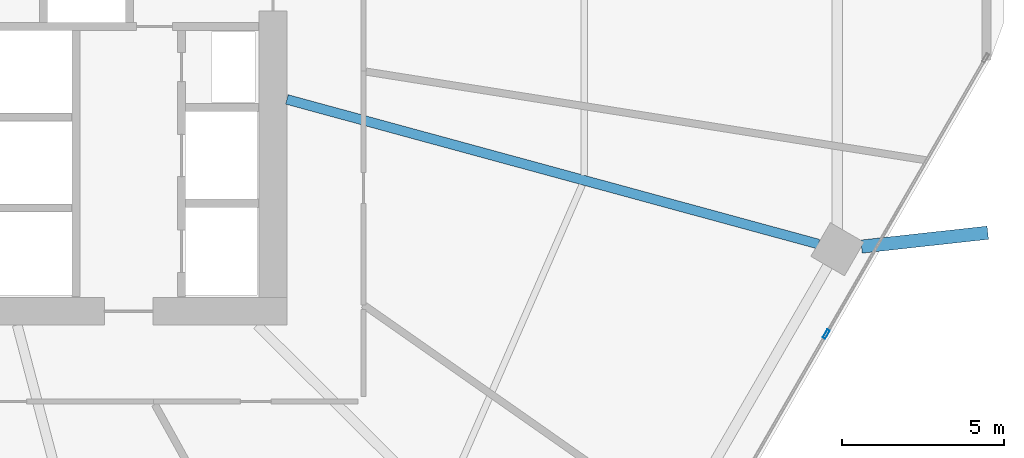
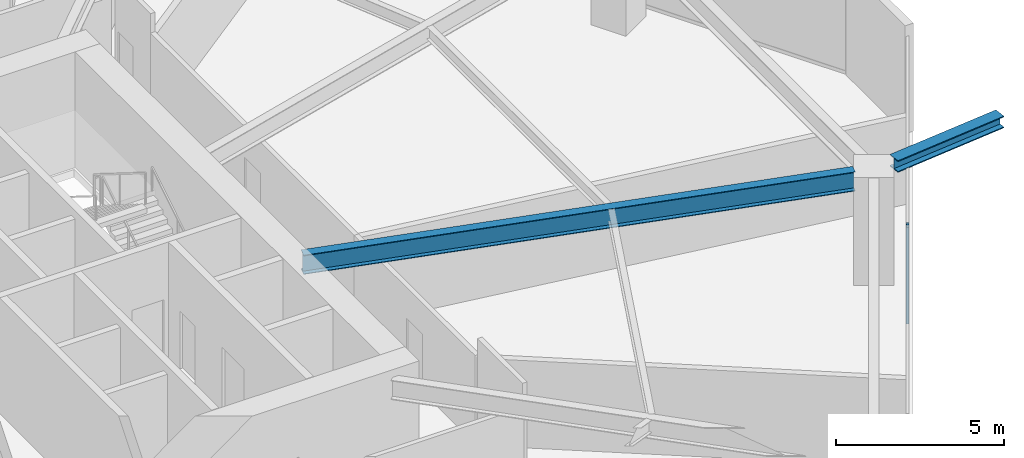
# One storey, part 11 of 25: 2 beams, 1 member, 1 element without a shape of its own.
"""IFC4 building model written with IfcOpenShell, lengths in metres."""

from ifc_helpers import new_model, si_unit, direction, frame, origin, origin_2d, place, context, subcontext, project, spatial, hollow_rectangle, i_section, extrude, material, material_profile, profile_set, type_object, element, aggregate, save


model = new_model("IFC4")

# Units and contexts
model_context = context("Model", 3, precision=1e-05, world=origin(), true_north=direction((0.0, 1.0)))
body_context = subcontext(model_context, "Body", "Model", "MODEL_VIEW")
ifc_project = project(units=[si_unit("LENGTHUNIT", "METRE"), si_unit("AREAUNIT", "SQUARE_METRE"), si_unit("VOLUMEUNIT", "CUBIC_METRE"), si_unit("PLANEANGLEUNIT", "RADIAN"), si_unit("MASSUNIT", "GRAM", prefix="KILO")], contexts=[model_context])

# Site, building, storey
site_placement = place(None, origin())
site = spatial("IfcSite", under=ifc_project, at=site_placement, CompositionType="ELEMENT")
building_placement = place(site_placement, origin())
building = spatial("IfcBuilding", under=site, at=building_placement, Name="Zuhravey Tower", CompositionType="ELEMENT")
storey_placement = place(building_placement, frame((0.0, 0.0, 37.199951171875)))
storey = spatial("IfcBuildingStorey", under=building, at=storey_placement, Name="L09", CompositionType="ELEMENT", Elevation=37.199951171875)

# Curtain wall, member
ifc_material_1 = material(Name="Thermally broken anodised aluminium", Category="aluminium")
curtain_wall_type = type_object("IfcCurtainWallType", Name="School Low-E Unitised Curtain Wall CW1", PredefinedType="NOTDEFINED", material=ifc_material_1)
curtain_wall_placement = place(storey_placement, origin())
curtain_wall = element("IfcCurtainWall", 1, at=curtain_wall_placement, inside=storey, type_object=curtain_wall_type, Name="L09 CW1 CW-L09-F6-1", PredefinedType="NOTDEFINED")
ifc_material_2 = material(Name="Anodised aluminium", Category="aluminium")
ifc_material_profile_1 = material_profile(ifc_material_2, hollow_rectangle(XDim=0.090087890625, YDim=0.284912109375, WallThickness=0.0048828125, at=origin_2d()), Name="ALU-RHS-90x285x5")
ifc_profile_set_1 = profile_set([ifc_material_profile_1], Name="Anodised aluminium")
member_type = type_object("IfcMemberType", Name="Curtain-Wall Mullion 90x180", PredefinedType="MULLION", material=ifc_profile_set_1)
member_placement = place(storey_placement, frame((63.54541015625, 21.79296875, 0.0), z_axis=(0.0, 0.0, 1.0), x_axis=(0.86602552265, -0.499999794119, 0.0)))
member = element("IfcMember", 2, at=member_placement, type_object=member_type, Name="CW1 mullion 2", PredefinedType="MULLION", context=body_context, shape_type="SweptSolid", body=[
    extrude(hollow_rectangle(XDim=0.090087890625, YDim=0.284912109375, WallThickness=0.0048828125, at=origin_2d()), origin(), (0.0, 0.0, 1.0), 3.491943359375),
])
aggregate(curtain_wall, [member])

# Beams
ifc_material_3 = material(Name="Steel SM460", Category="steel")
ifc_material_profile_2 = material_profile(ifc_material_3, i_section(OverallWidth=0.406982421875, OverallDepth=0.427978515625, WebThickness=0.02001953125, FlangeThickness=0.034912109375, at=origin_2d()), Name="H-428x407x20x35")
ifc_profile_set_2 = profile_set([ifc_material_profile_2], Name="Steel SM460")
beam_type_1 = type_object("IfcBeamType", Name="Exoskeleton Node Tie Beam H428x407", PredefinedType="BEAM", material=ifc_profile_set_2)
beam_1_placement = place(storey_placement, frame((64.6328125, 24.490234375, 3.7060546875), z_axis=(0.994007881498, 0.109308423825, 0.0), x_axis=(-0.109308423825, 0.994007881498, 0.0)))
element("IfcBeam", 3, at=beam_1_placement, inside=storey, type_object=beam_type_1, Name="L09 Exoskeleton Node Tie NT1-12", PredefinedType="BEAM", context=body_context, shape_type="SweptSolid", body=[
    extrude(i_section(OverallWidth=0.406982421875, OverallDepth=0.427978515625, WebThickness=0.02001953125, FlangeThickness=0.034912109375, at=origin_2d()), origin(), (0.0, 0.0, 1.0), 3.9130859375),
])
ifc_material_4 = material(Name="Steel SM355", Category="steel")
ifc_material_profile_3 = material_profile(ifc_material_4, i_section(OverallWidth=0.300048828125, OverallDepth=0.699951171875, WebThickness=0.012939453125, FlangeThickness=0.02392578125, at=origin_2d()), Name="H-700x300x13x24")
ifc_profile_set_3 = profile_set([ifc_material_profile_3], Name="Steel SM355")
beam_type_2 = type_object("IfcBeamType", Name="Radial Primary Girder H700x300", PredefinedType="BEAM", material=ifc_profile_set_3)
beam_2_placement = place(storey_placement, frame((46.927978515625, 29.025390625, 3.570068359375), z_axis=(0.964892480455, -0.26264520015, 0.0), x_axis=(0.26264520015, 0.964892480455, 0.0)))
element("IfcBeam", 4, at=beam_2_placement, inside=storey, type_object=beam_type_2, Name="L09 RG1 BM-L09-RAD-12", PredefinedType="BEAM", context=body_context, shape_type="SweptSolid", body=[
    extrude(i_section(OverallWidth=0.300048828125, OverallDepth=0.699951171875, WebThickness=0.012939453125, FlangeThickness=0.02392578125, at=origin_2d()), origin(), (0.0, 0.0, 1.0), 16.975341796875),
])

save(model, "model.ifc")
